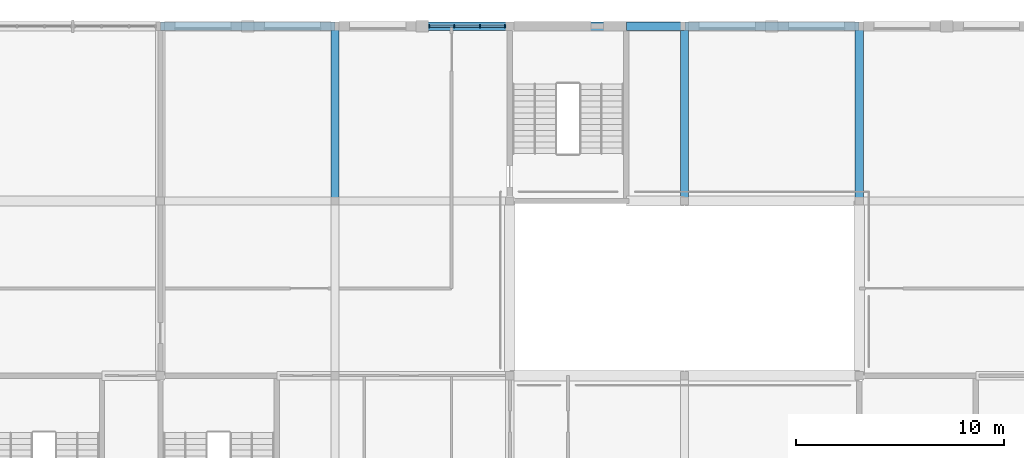
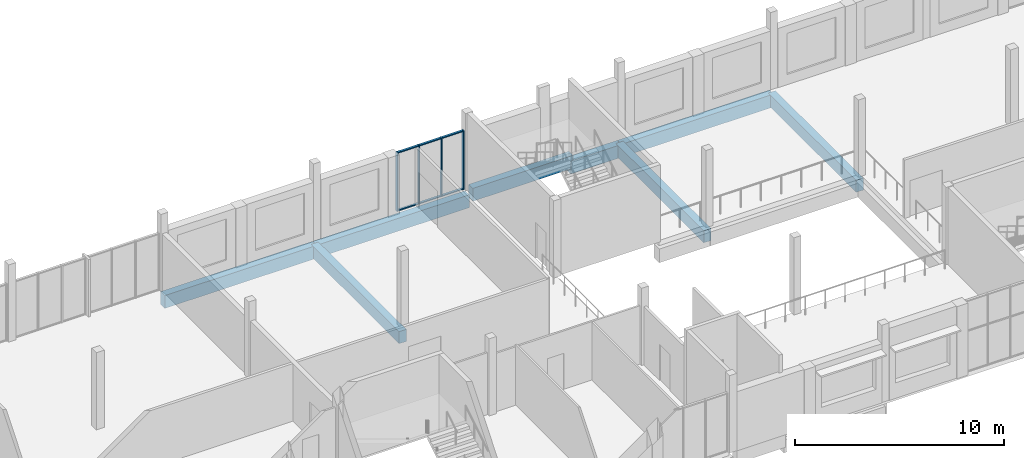
# One storey, part 78 of 116: 10 members, 8 beams, 1 element without a shape of its own.
"""IFC4 building model written with IfcOpenShell, lengths in metres."""

from ifc_helpers import new_model, si_unit, direction, frame, origin, origin_2d, place, context, subcontext, project, spatial, rectangle, extrude, material, material_profile, profile_set, type_object, element, aggregate, save


model = new_model("IFC4")

# Units and contexts
model_context = context("Model", 3, precision=1e-05, world=origin(), true_north=direction((0.0, 1.0)))
body_context = subcontext(model_context, "Body", "Model", "MODEL_VIEW")
ifc_project = project(units=[si_unit("LENGTHUNIT", "METRE"), si_unit("AREAUNIT", "SQUARE_METRE"), si_unit("VOLUMEUNIT", "CUBIC_METRE"), si_unit("PLANEANGLEUNIT", "RADIAN"), si_unit("MASSUNIT", "GRAM", prefix="KILO")], contexts=[model_context])

# Site, building, storey
site_placement = place(None, origin())
site = spatial("IfcSite", under=ifc_project, at=site_placement, CompositionType="ELEMENT")
building_placement = place(site_placement, origin())
building = spatial("IfcBuilding", under=site, at=building_placement, Name="Fescue Hill Polytechnic", CompositionType="ELEMENT")
storey_placement = place(building_placement, frame((0.0, 0.0, 13.5)))
storey = spatial("IfcBuildingStorey", under=building, at=storey_placement, Name="L03", CompositionType="ELEMENT", Elevation=13.5)

# Beams
ifc_material_1 = material(Name="Concrete 35 MPa", Category="concrete")
ifc_material_profile_1 = material_profile(ifc_material_1, rectangle(XDim=0.39990234375, YDim=0.699951171875, at=origin_2d()), Name="RC 400x700")
ifc_profile_set_1 = profile_set([ifc_material_profile_1], Name="Concrete 35 MPa")
beam_type_1 = type_object("IfcBeamType", Name="Beam RC 400x700", PredefinedType="BEAM", material=ifc_profile_set_1)
for number, where, z_axis, x_axis, name in (
    (1, (67.199951171875, 126.0, -0.64990234375), (0.0, 1.0, 0.0), (-1.0, 0.0, 0.0), "BM-L03-0087"),
    (2, (84.0, 126.0, -0.64990234375), (0.0, 1.0, 0.0), (-1.0, 0.0, 0.0), "BM-L03-0099"),
    (3, (92.39990234375, 126.0, -0.64990234375), (0.0, 1.0, 0.0), (-1.0, 0.0, 0.0), "BM-L03-0104"),
):
    element("IfcBeam", number, at=place(storey_placement, frame(where, z_axis=z_axis, x_axis=x_axis)), inside=storey, type_object=beam_type_1, Name=name, PredefinedType="BEAM", context=body_context, shape_type="SweptSolid", body=[
        extrude(rectangle(XDim=0.39990234375, YDim=0.699951171875, at=origin_2d()), origin(), (0.0, 0.0, 1.0), 8.39990234375),
    ])
ifc_material_profile_2 = material_profile(ifc_material_1, rectangle(XDim=0.39990234375, YDim=0.75, at=origin_2d()), Name="RC 400x750")
ifc_profile_set_2 = profile_set([ifc_material_profile_2], Name="Concrete 35 MPa")
beam_type_2 = type_object("IfcBeamType", Name="Beam RC 400x750", PredefinedType="BEAM", material=ifc_profile_set_2)
beam_1_placement = place(storey_placement, frame((58.81005859375, 134.39990234375, -0.675048828125), z_axis=(1.0, 0.0, 0.0), x_axis=(0.0, 1.0, 0.0)))
element("IfcBeam", 4, at=beam_1_placement, inside=storey, type_object=beam_type_2, Name="BM-L03-0082", PredefinedType="BEAM", context=body_context, shape_type="SweptSolid", body=[
    extrude(rectangle(XDim=0.39990234375, YDim=0.75, at=origin_2d()), origin(), (0.0, 0.0, 1.0), 8.3798828125),
])
beam_2_placement = place(storey_placement, frame((67.2099609375, 134.39990234375, -0.675048828125), z_axis=(1.0, 0.0, 0.0), x_axis=(0.0, 1.0, 0.0)))
element("IfcBeam", 5, at=beam_2_placement, inside=storey, type_object=beam_type_2, Name="BM-L03-0091", PredefinedType="BEAM", context=body_context, shape_type="SweptSolid", body=[
    extrude(rectangle(XDim=0.39990234375, YDim=0.75, at=origin_2d()), origin(), (0.0, 0.0, 1.0), 8.39013671875),
])
beam_3_placement = place(storey_placement, frame((81.199951171875, 134.39990234375, -0.675048828125), z_axis=(1.0, 0.0, 0.0), x_axis=(0.0, 1.0, 0.0)))
element("IfcBeam", 6, at=beam_3_placement, inside=storey, type_object=beam_type_2, Name="BM-L03-0097", PredefinedType="BEAM", context=body_context, shape_type="SweptSolid", body=[
    extrude(rectangle(XDim=0.39990234375, YDim=0.75, at=origin_2d()), origin(), (0.0, 0.0, 1.0), 2.7900390625),
])
beam_4_placement = place(storey_placement, frame((84.010009765625, 134.39990234375, -0.675048828125), z_axis=(1.0, 0.0, 0.0), x_axis=(0.0, 1.0, 0.0)))
element("IfcBeam", 7, at=beam_4_placement, inside=storey, type_object=beam_type_2, Name="BM-L03-0102", PredefinedType="BEAM", context=body_context, shape_type="SweptSolid", body=[
    extrude(rectangle(XDim=0.39990234375, YDim=0.75, at=origin_2d()), origin(), (0.0, 0.0, 1.0), 8.3798828125),
])
beam_5_placement = place(storey_placement, frame((75.800048828125, 134.39990234375, -0.375), z_axis=(1.0, 0.0, 0.0), x_axis=(0.0, 1.0, 0.0)))
element("IfcBeam", 8, at=beam_5_placement, inside=storey, type_object=beam_type_2, Name="BM-L03-0138", PredefinedType="BEAM", context=body_context, shape_type="SweptSolid", body=[
    extrude(rectangle(XDim=0.39990234375, YDim=0.75, at=origin_2d()), origin(), (0.0, 0.0, 1.0), 5.52490234375),
])

# Curtain wall, members
ifc_material_2 = material(Name="Glass", Category="glass")
curtain_wall_type = type_object("IfcCurtainWallType", Name="Curtain wall structural glazing", PredefinedType="NOTDEFINED", material=ifc_material_2)
curtain_wall_placement = place(storey_placement, origin())
curtain_wall = element("IfcCurtainWall", 9, at=curtain_wall_placement, inside=storey, type_object=curtain_wall_type, Name="CW-L03-V4b-X3", PredefinedType="NOTDEFINED")
ifc_material_3 = material(Name="Powder-coated aluminium", Category="aluminium")
ifc_material_profile_3 = material_profile(ifc_material_3, rectangle(XDim=0.159912109375, YDim=0.06005859375, at=origin_2d()), Name="Mullion aluminium 60x160")
ifc_profile_set_3 = profile_set([ifc_material_profile_3], Name="Powder-coated aluminium")
member_type_1 = type_object("IfcMemberType", Name="Mullion aluminium 60x160", PredefinedType="MULLION", material=ifc_profile_set_3)
member_1_placement = place(storey_placement, frame((75.3701171875, 134.39990234375, 0.0), z_axis=(0.0, 0.0, 1.0), x_axis=(0.0, -1.0, 0.0)))
member_1 = element("IfcMember", 10, at=member_1_placement, type_object=member_type_1, Name="CW174 mullion 1", PredefinedType="MULLION", context=body_context, shape_type="SweptSolid", body=[
    extrude(rectangle(XDim=0.159912109375, YDim=0.06005859375, at=origin_2d()), origin(), (0.0, 0.0, 1.0), 3.429931640625),
])
member_2_placement = place(storey_placement, frame((74.166748046875, 134.39990234375, 0.0), z_axis=(0.0, 0.0, 1.0), x_axis=(0.0, -1.0, 0.0)))
member_2 = element("IfcMember", 11, at=member_2_placement, type_object=member_type_1, Name="CW174 mullion 2", PredefinedType="MULLION", context=body_context, shape_type="SweptSolid", body=[
    extrude(rectangle(XDim=0.159912109375, YDim=0.06005859375, at=origin_2d()), origin(), (0.0, 0.0, 1.0), 3.429931640625),
])
member_3_placement = place(storey_placement, frame((72.933349609375, 134.39990234375, 0.0), z_axis=(0.0, 0.0, 1.0), x_axis=(0.0, -1.0, 0.0)))
member_3 = element("IfcMember", 12, at=member_3_placement, type_object=member_type_1, Name="CW174 mullion 3", PredefinedType="MULLION", context=body_context, shape_type="SweptSolid", body=[
    extrude(rectangle(XDim=0.159912109375, YDim=0.06005859375, at=origin_2d()), origin(), (0.0, 0.0, 1.0), 3.429931640625),
])
member_4_placement = place(storey_placement, frame((71.72998046875, 134.39990234375, 0.0), z_axis=(0.0, 0.0, 1.0), x_axis=(0.0, -1.0, 0.0)))
member_4 = element("IfcMember", 13, at=member_4_placement, type_object=member_type_1, Name="CW174 mullion 4", PredefinedType="MULLION", context=body_context, shape_type="SweptSolid", body=[
    extrude(rectangle(XDim=0.159912109375, YDim=0.06005859375, at=origin_2d()), origin(), (0.0, 0.0, 1.0), 3.429931640625),
])
ifc_material_profile_4 = material_profile(ifc_material_3, rectangle(XDim=0.1201171875, YDim=0.06005859375, at=origin_2d()), Name="Transom aluminium 60x120")
ifc_profile_set_4 = profile_set([ifc_material_profile_4], Name="Powder-coated aluminium")
member_type_2 = type_object("IfcMemberType", Name="Transom aluminium 60x120", PredefinedType="USERDEFINED", material=ifc_profile_set_4)
member_5_placement = place(storey_placement, frame((75.340087890625, 134.39990234375, 0.030029296875), z_axis=(-1.0, 0.0, 0.0), x_axis=(0.0, -1.0, 0.0)))
member_5 = element("IfcMember", 14, at=member_5_placement, type_object=member_type_2, Name="CW174 transom 1.1", ObjectType="TRANSOM", PredefinedType="USERDEFINED", context=body_context, shape_type="SweptSolid", body=[
    extrude(rectangle(XDim=0.1201171875, YDim=0.06005859375, at=origin_2d()), origin(), (0.0, 0.0, 1.0), 1.143310546875),
])
member_6_placement = place(storey_placement, frame((75.340087890625, 134.39990234375, 3.39990234375), z_axis=(-1.0, 0.0, 0.0), x_axis=(0.0, -1.0, 0.0)))
member_6 = element("IfcMember", 15, at=member_6_placement, type_object=member_type_2, Name="CW174 transom 1.2", ObjectType="TRANSOM", PredefinedType="USERDEFINED", context=body_context, shape_type="SweptSolid", body=[
    extrude(rectangle(XDim=0.1201171875, YDim=0.06005859375, at=origin_2d()), origin(), (0.0, 0.0, 1.0), 1.143310546875),
])
member_7_placement = place(storey_placement, frame((74.13671875, 134.39990234375, 0.030029296875), z_axis=(-1.0, 0.0, 0.0), x_axis=(0.0, -1.0, 0.0)))
member_7 = element("IfcMember", 16, at=member_7_placement, type_object=member_type_2, Name="CW174 transom 2.1", ObjectType="TRANSOM", PredefinedType="USERDEFINED", context=body_context, shape_type="SweptSolid", body=[
    extrude(rectangle(XDim=0.1201171875, YDim=0.06005859375, at=origin_2d()), origin(), (0.0, 0.0, 1.0), 1.17333984375),
])
member_8_placement = place(storey_placement, frame((74.13671875, 134.39990234375, 3.39990234375), z_axis=(-1.0, 0.0, 0.0), x_axis=(0.0, -1.0, 0.0)))
member_8 = element("IfcMember", 17, at=member_8_placement, type_object=member_type_2, Name="CW174 transom 2.2", ObjectType="TRANSOM", PredefinedType="USERDEFINED", context=body_context, shape_type="SweptSolid", body=[
    extrude(rectangle(XDim=0.1201171875, YDim=0.06005859375, at=origin_2d()), origin(), (0.0, 0.0, 1.0), 1.17333984375),
])
member_9_placement = place(storey_placement, frame((72.9033203125, 134.39990234375, 0.030029296875), z_axis=(-1.0, 0.0, 0.0), x_axis=(0.0, -1.0, 0.0)))
member_9 = element("IfcMember", 18, at=member_9_placement, type_object=member_type_2, Name="CW174 transom 3.1", ObjectType="TRANSOM", PredefinedType="USERDEFINED", context=body_context, shape_type="SweptSolid", body=[
    extrude(rectangle(XDim=0.1201171875, YDim=0.06005859375, at=origin_2d()), origin(), (0.0, 0.0, 1.0), 1.143310546875),
])
member_10_placement = place(storey_placement, frame((72.9033203125, 134.39990234375, 3.39990234375), z_axis=(-1.0, 0.0, 0.0), x_axis=(0.0, -1.0, 0.0)))
member_10 = element("IfcMember", 19, at=member_10_placement, type_object=member_type_2, Name="CW174 transom 3.2", ObjectType="TRANSOM", PredefinedType="USERDEFINED", context=body_context, shape_type="SweptSolid", body=[
    extrude(rectangle(XDim=0.1201171875, YDim=0.06005859375, at=origin_2d()), origin(), (0.0, 0.0, 1.0), 1.143310546875),
])
aggregate(curtain_wall, [member_1, member_2, member_3, member_4, member_5, member_6, member_7, member_8, member_9, member_10])

save(model, "model.ifc")
